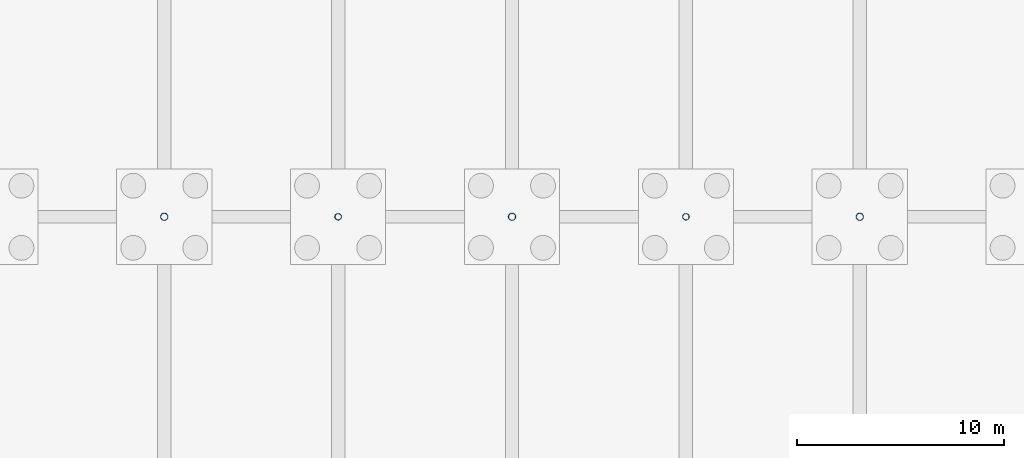
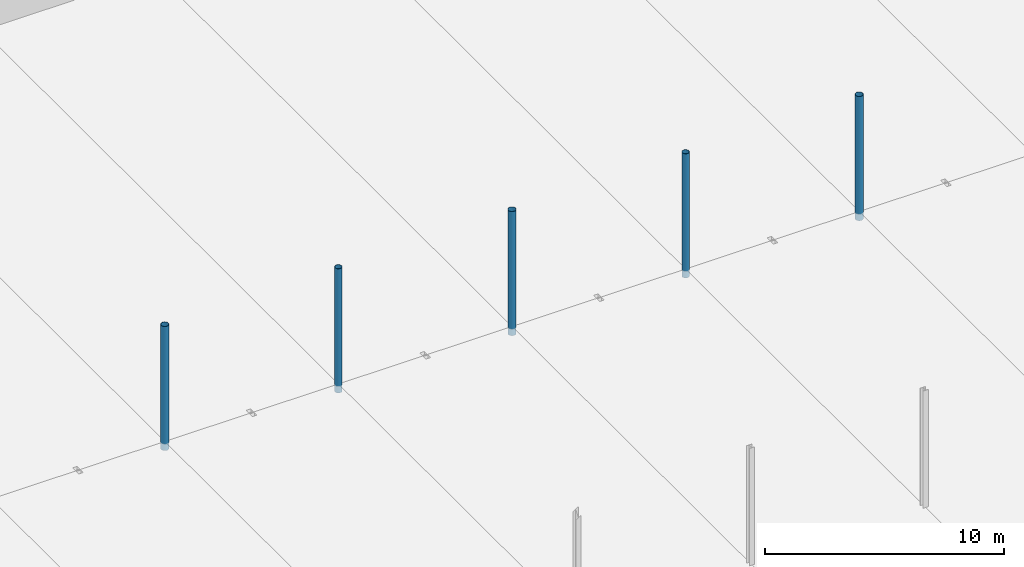
# One storey, part 44 of 139: 5 columns.
"""IFC4 building model written with IfcOpenShell, lengths in metres."""

from ifc_helpers import new_model, si_unit, direction, frame, origin, origin_2d, place, context, subcontext, project, spatial, hollow_circle, extrude, material, material_profile, profile_set, type_object, element, save


model = new_model("IFC4")

# Units and contexts
model_context = context("Model", 3, precision=1e-05, world=origin(), true_north=direction((0.0, 1.0)))
body_context = subcontext(model_context, "Body", "Model", "MODEL_VIEW")
ifc_project = project(units=[si_unit("LENGTHUNIT", "METRE"), si_unit("AREAUNIT", "SQUARE_METRE"), si_unit("VOLUMEUNIT", "CUBIC_METRE"), si_unit("PLANEANGLEUNIT", "RADIAN"), si_unit("MASSUNIT", "GRAM", prefix="KILO")], contexts=[model_context])

# Site, building, storey
site_placement = place(None, origin())
site = spatial("IfcSite", under=ifc_project, at=site_placement, CompositionType="ELEMENT")
building_placement = place(site_placement, origin())
building = spatial("IfcBuilding", under=site, at=building_placement, Name="Kazenagashi Tramway Depot", CompositionType="ELEMENT")
storey_placement = place(building_placement, origin())
storey = spatial("IfcBuildingStorey", under=building, at=storey_placement, Name="L01", CompositionType="ELEMENT", Elevation=0.0)

# Columns
ifc_material = material(Name="Steel STK490", Category="steel")
ifc_material_profile_1 = material_profile(ifc_material, hollow_circle(Radius=0.1778, WallThickness=0.0127, at=origin_2d()), Name="CHS-355.6x12.7")
ifc_profile_set_1 = profile_set([ifc_material_profile_1], Name="Steel STK490")
column_type_1 = type_object("IfcColumnType", Name="C-13", PredefinedType="COLUMN", material=ifc_profile_set_1)
for number, where, z_axis, x_axis, name in (
    (1, (128.8, 100.0, -0.35), (0.0, 0.0, 1.0), (1.0, 0.0, 0.0), "Column C-13 COL-0063"),
    (2, (145.6, 100.0, -0.35), (0.0, 0.0, 1.0), (1.0, 0.0, 0.0), "Column C-13 COL-0075"),
    (3, (162.4, 100.0, -0.35), (0.0, 0.0, 1.0), (1.0, 0.0, 0.0), "Column C-13 COL-0087"),
):
    element("IfcColumn", number, at=place(storey_placement, frame(where, z_axis=z_axis, x_axis=x_axis)), inside=storey, type_object=column_type_1, Name=name, PredefinedType="COLUMN", context=body_context, shape_type="SweptSolid", body=[
        extrude(hollow_circle(Radius=0.1778, WallThickness=0.0127, at=origin_2d()), origin(), (0.0, 0.0, 1.0), 6.35),
    ])
ifc_material_profile_2 = material_profile(ifc_material, hollow_circle(Radius=0.15925, WallThickness=0.0103, at=origin_2d()), Name="CHS-318.5x10.3")
ifc_profile_set_2 = profile_set([ifc_material_profile_2], Name="Steel STK490")
column_type_2 = type_object("IfcColumnType", Name="C-18", PredefinedType="COLUMN", material=ifc_profile_set_2)
for number, where, z_axis, x_axis, name in (
    (4, (137.2, 100.0, -0.35), (0.0, 0.0, 1.0), (1.0, 0.0, 0.0), "Column C-18 COL-0069"),
    (5, (154.0, 100.0, -0.35), (0.0, 0.0, 1.0), (1.0, 0.0, 0.0), "Column C-18 COL-0081"),
):
    element("IfcColumn", number, at=place(storey_placement, frame(where, z_axis=z_axis, x_axis=x_axis)), inside=storey, type_object=column_type_2, Name=name, PredefinedType="COLUMN", context=body_context, shape_type="SweptSolid", body=[
        extrude(hollow_circle(Radius=0.15925, WallThickness=0.0103, at=origin_2d()), origin(), (0.0, 0.0, 1.0), 6.35),
    ])

save(model, "model.ifc")
